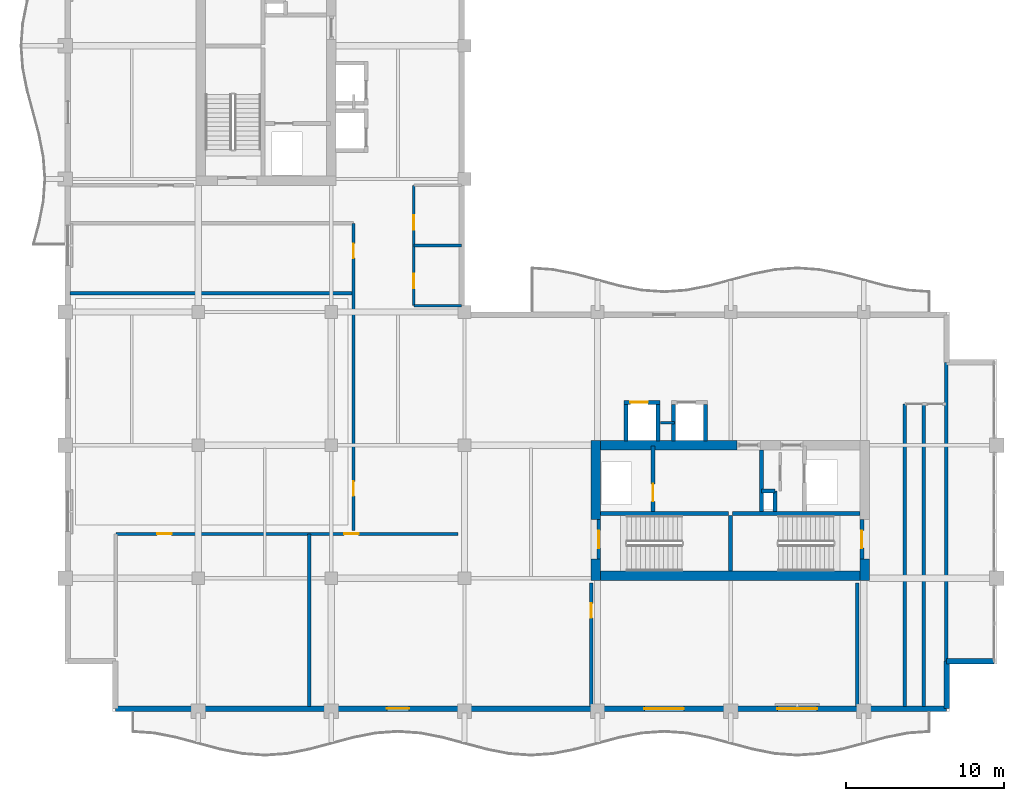
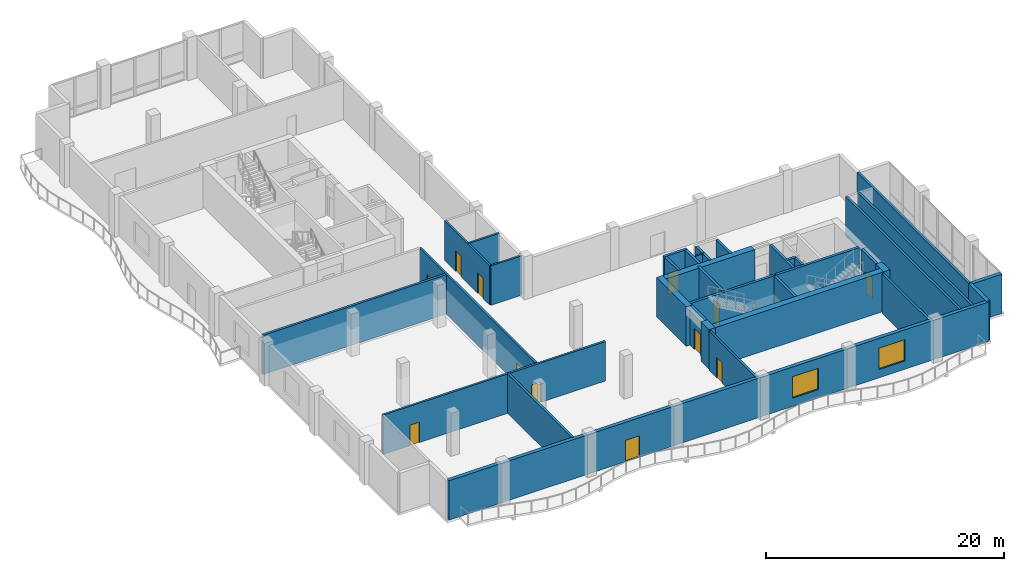
# One storey, part 8 of 15: 35 walls, 12 doors, 2 windows, 14 openings.
"""IFC4 building model written with IfcOpenShell, lengths in metres."""

from ifc_helpers import new_model, si_unit, direction, frame, frame_2d, origin, place, context, subcontext, project, spatial, rectangle, extrude, material, layer, layer_set, type_object, element, fill, save


model = new_model("IFC4")

# Units and contexts
model_context = context("Model", 3, precision=1e-05, world=origin(), true_north=direction((0.0, 1.0)))
body_context = subcontext(model_context, "Body", "Model", "MODEL_VIEW")
ifc_project = project(units=[si_unit("LENGTHUNIT", "METRE"), si_unit("AREAUNIT", "SQUARE_METRE"), si_unit("VOLUMEUNIT", "CUBIC_METRE"), si_unit("PLANEANGLEUNIT", "RADIAN"), si_unit("MASSUNIT", "GRAM", prefix="KILO")], contexts=[model_context])

# Site, building, storey
site_placement = place(None, origin())
site = spatial("IfcSite", under=ifc_project, at=site_placement, CompositionType="ELEMENT")
building_placement = place(site_placement, origin())
building = spatial("IfcBuilding", under=site, at=building_placement, Name="Koriwani Terraces Tower", CompositionType="ELEMENT")
storey_placement = place(building_placement, frame((0.0, 0.0, 290.39990234375)))
storey = spatial("IfcBuildingStorey", under=building, at=storey_placement, Name="L72", CompositionType="ELEMENT", Elevation=290.39990234375)

# Walls
ifc_material_1 = material(Name="Concrete C60/75", Category="concrete")
ifc_layer_1 = layer(ifc_material_1, 0.60009765625, Name="Concrete C60/75")
ifc_layer_set_1 = layer_set([ifc_layer_1], Name="Concrete C60/75")
wall_type_1 = type_object("IfcWallType", Name="WALL_CORE_RC_600", PredefinedType="SHEAR", material=ifc_layer_set_1)
wall_1_placement = place(storey_placement, frame((41.89990234375, 16.64990234375, 0.0), z_axis=(0.0, 0.0, 1.0), x_axis=(0.0, 1.0, 0.0)))
element("IfcWall", 1, at=wall_1_placement, inside=storey, type_object=wall_type_1, Name="L72 East Split Core Shear Wall W1", PredefinedType="SHEAR", context=body_context, shape_type="SweptSolid", body=[
    extrude(rectangle(XDim=1.35009765625, YDim=0.60009765625, at=frame_2d((0.675048828125, 0.0))), origin(), (0.0, 0.0, 1.0), 4.050048828125),
])
wall_2_placement = place(storey_placement, frame((41.89990234375, 20.5, 0.0), z_axis=(0.0, 0.0, 1.0), x_axis=(0.0, 1.0, 0.0)))
element("IfcWall", 2, at=wall_2_placement, inside=storey, type_object=wall_type_1, Name="L72 East Split Core Shear Wall W2", PredefinedType="SHEAR", context=body_context, shape_type="SweptSolid", body=[
    extrude(rectangle(XDim=5.0, YDim=0.60009765625, at=frame_2d((2.5, 0.0))), origin(), (0.0, 0.0, 1.0), 4.050048828125),
])
wall_3_placement = place(storey_placement, frame((58.85009765625, 16.64990234375, 0.0), z_axis=(0.0, 0.0, 1.0), x_axis=(0.0, 1.0, 0.0)))
element("IfcWall", 3, at=wall_3_placement, inside=storey, type_object=wall_type_1, Name="L72 East Split Core Shear Wall E1", PredefinedType="SHEAR", context=body_context, shape_type="SweptSolid", body=[
    extrude(rectangle(XDim=1.35009765625, YDim=0.60009765625, at=frame_2d((0.675048828125, 0.0))), origin(), (0.0, 0.0, 1.0), 4.050048828125),
])
wall_4_placement = place(storey_placement, frame((42.199951171875, 16.949951171875, 0.0), z_axis=(0.0, 0.0, 1.0), x_axis=(1.0, 0.0, 0.0)))
element("IfcWall", 4, at=wall_4_placement, inside=storey, type_object=wall_type_1, Name="L72 East Split Core Shear Wall S1", PredefinedType="SHEAR", context=body_context, shape_type="SweptSolid", body=[
    extrude(rectangle(XDim=16.35009765625, YDim=0.60009765625, at=frame_2d((8.175048828125, 0.0))), origin(), (0.0, 0.0, 1.0), 4.050048828125),
])
wall_5_placement = place(storey_placement, frame((42.199951171875, 25.199951171875, 0.0), z_axis=(0.0, 0.0, 1.0), x_axis=(1.0, 0.0, 0.0)))
element("IfcWall", 5, at=wall_5_placement, inside=storey, type_object=wall_type_1, Name="L72 East Split Core Shear Wall N1", PredefinedType="SHEAR", context=body_context, shape_type="SweptSolid", body=[
    extrude(rectangle(XDim=8.60009765625, YDim=0.60009765625, at=frame_2d((4.300048828125, 0.0))), origin(), (0.0, 0.0, 1.0), 4.050048828125),
])

# Wall, opening, door
ifc_material_2 = material(Name="Autoclaved Cellular Concrete Blockwork", Category="masonry")
ifc_layer_2 = layer(ifc_material_2, 0.199951171875, Name="Autoclaved Cellular Concrete Blockwork")
ifc_layer_set_2 = layer_set([ifc_layer_2], Name="Autoclaved Cellular Concrete Blockwork")
wall_type_2 = type_object("IfcWallType", Name="WALL_CORRIDOR_200", PredefinedType="PARTITIONING", material=ifc_layer_set_2)
wall_6_placement = place(storey_placement, frame((41.60009765625, 8.699951171875, 0.0), z_axis=(0.0, 0.0, 1.0), x_axis=(0.0, 1.0, 0.0)))
wall_6 = element("IfcWall", 6, at=wall_6_placement, inside=storey, type_object=wall_type_2, Name="L72 Interior Wall WSKY-RECE1-L72", PredefinedType="PARTITIONING", context=body_context, shape_type="SweptSolid", body=[
    extrude(rectangle(XDim=7.800048828125, YDim=0.199951171875, at=frame_2d((3.89990234375, 0.0))), origin(), (0.0, 0.0, 1.0), 4.050048828125),
])
opening_1_placement = place(wall_6_placement, frame((5.60009765625, 0.0, 0.0)))
opening_1 = element("IfcOpeningElement", 7, at=opening_1_placement, cuts=wall_6, Name="Opening D-06", PredefinedType="OPENING", context=body_context, shape_type="SweptSolid", body=[
    extrude(rectangle(XDim=0.919921875, YDim=2.10009765625, at=frame_2d((0.4599609375, 1.050048828125))), frame((0.0, 0.10986328125, 0.0), z_axis=(0.0, -1.0, 0.0), x_axis=(1.0, 0.0, 0.0)), (0.0, 0.0, 1.0), 0.219970703125),
])
ifc_material_3 = material(Name="Architectural Oak Fire Door", Category="wood")
door_type_1 = type_object("IfcDoorType", Name="DOOR_ROOM_INT_920X2100", OperationType="NOTDEFINED", PredefinedType="DOOR", material=ifc_material_3)
door_1_placement = place(opening_1_placement, origin())
door_1 = element("IfcDoor", 8, at=door_1_placement, inside=storey, type_object=door_type_1, Name="L72 VIP Tasting Salon Door", OperationType="SINGLE_SWING_LEFT", OverallHeight=2.10009765625, OverallWidth=0.919921875, PredefinedType="DOOR", context=body_context, shape_type="SweptSolid", body=[
    extrude(rectangle(XDim=0.919921875, YDim=2.10009765625, at=frame_2d((0.4599609375, 1.050048828125))), frame((0.0, 0.02490234375, 0.0), z_axis=(0.0, -1.0, 0.0), x_axis=(1.0, 0.0, 0.0)), (0.0, 0.0, 1.0), 0.050048828125),
])
fill(opening_1, door_1)

# Wall, openings, doors
wall_7_placement = place(storey_placement, frame((11.60009765625, 19.60009765625, 0.0), z_axis=(0.0, 0.0, 1.0), x_axis=(1.0, 0.0, 0.0)))
wall_7 = element("IfcWall", 9, at=wall_7_placement, inside=storey, type_object=wall_type_2, Name="L72 Interior Wall WSKY-SPN-L72", PredefinedType="PARTITIONING", context=body_context, shape_type="SweptSolid", body=[
    extrude(rectangle(XDim=21.599853515625, YDim=0.199951171875, at=frame_2d((10.7998046875, 0.0))), origin(), (0.0, 0.0, 1.0), 4.050048828125),
])
opening_2_placement = place(wall_7_placement, frame((2.60009765625, 0.0, 0.0)))
opening_2 = element("IfcOpeningElement", 10, at=opening_2_placement, cuts=wall_7, Name="Opening D-06", PredefinedType="OPENING", context=body_context, shape_type="SweptSolid", body=[
    extrude(rectangle(XDim=0.919921875, YDim=2.10009765625, at=frame_2d((0.4599609375, 1.050048828125))), frame((0.0, 0.10986328125, 0.0), z_axis=(0.0, -1.0, 0.0), x_axis=(1.0, 0.0, 0.0)), (0.0, 0.0, 1.0), 0.219970703125),
])
opening_3_placement = place(wall_7_placement, frame((14.39990234375, 0.0, 0.0)))
opening_3 = element("IfcOpeningElement", 11, at=opening_3_placement, cuts=wall_7, Name="Opening D-06", PredefinedType="OPENING", context=body_context, shape_type="SweptSolid", body=[
    extrude(rectangle(XDim=0.919921875, YDim=2.10009765625, at=frame_2d((0.4599609375, 1.050048828125))), frame((0.0, 0.10986328125, 0.0), z_axis=(0.0, -1.0, 0.0), x_axis=(1.0, 0.0, 0.0)), (0.0, 0.0, 1.0), 0.219970703125),
])
door_2_placement = place(opening_2_placement, origin())
door_2 = element("IfcDoor", 12, at=door_2_placement, inside=storey, type_object=door_type_1, Name="L72 Sky Spa Salon Door", OperationType="SINGLE_SWING_RIGHT", OverallHeight=2.10009765625, OverallWidth=0.919921875, PredefinedType="DOOR", context=body_context, shape_type="SweptSolid", body=[
    extrude(rectangle(XDim=0.919921875, YDim=2.10009765625, at=frame_2d((0.4599609375, 1.050048828125))), frame((0.0, 0.02490234375, 0.0), z_axis=(0.0, -1.0, 0.0), x_axis=(1.0, 0.0, 0.0)), (0.0, 0.0, 1.0), 0.050048828125),
])
fill(opening_2, door_2)
door_3_placement = place(opening_3_placement, origin())
door_3 = element("IfcDoor", 13, at=door_3_placement, inside=storey, type_object=door_type_1, Name="L72 Sommelier Kitchen Door", OperationType="SINGLE_SWING_LEFT", OverallHeight=2.10009765625, OverallWidth=0.919921875, PredefinedType="DOOR", context=body_context, shape_type="SweptSolid", body=[
    extrude(rectangle(XDim=0.919921875, YDim=2.10009765625, at=frame_2d((0.4599609375, 1.050048828125))), frame((0.0, 0.02490234375, 0.0), z_axis=(0.0, -1.0, 0.0), x_axis=(1.0, 0.0, 0.0)), (0.0, 0.0, 1.0), 0.050048828125),
])
fill(opening_3, door_3)

wall_8_placement = place(storey_placement, frame((26.60009765625, 19.800048828125, 0.0), z_axis=(0.0, 0.0, 1.0), x_axis=(0.0, 1.0, 0.0)))
wall_8 = element("IfcWall", 14, at=wall_8_placement, inside=storey, type_object=wall_type_2, Name="L72 Interior Wall WSKY-WME-L72", PredefinedType="PARTITIONING", context=body_context, shape_type="SweptSolid", body=[
    extrude(rectangle(XDim=19.39990234375, YDim=0.199951171875, at=frame_2d((9.699951171875, 0.0))), origin(), (0.0, 0.0, 1.0), 4.050048828125),
])
opening_4_placement = place(wall_8_placement, frame((2.199951171875, 0.0, 0.0)))
opening_4 = element("IfcOpeningElement", 15, at=opening_4_placement, cuts=wall_8, Name="Opening D-06", PredefinedType="OPENING", context=body_context, shape_type="SweptSolid", body=[
    extrude(rectangle(XDim=0.919921875, YDim=2.10009765625, at=frame_2d((0.4599609375, 1.050048828125))), frame((0.0, 0.10986328125, 0.0), z_axis=(0.0, -1.0, 0.0), x_axis=(1.0, 0.0, 0.0)), (0.0, 0.0, 1.0), 0.219970703125),
])
opening_5_placement = place(wall_8_placement, frame((17.199951171875, 0.0, 0.0)))
opening_5 = element("IfcOpeningElement", 16, at=opening_5_placement, cuts=wall_8, Name="Opening D-06", PredefinedType="OPENING", context=body_context, shape_type="SweptSolid", body=[
    extrude(rectangle(XDim=0.919921875, YDim=2.10009765625, at=frame_2d((0.4599609375, 1.050048828125))), frame((0.0, 0.10986328125, 0.0), z_axis=(0.0, -1.0, 0.0), x_axis=(1.0, 0.0, 0.0)), (0.0, 0.0, 1.0), 0.219970703125),
])
door_4_placement = place(opening_4_placement, origin())
door_4 = element("IfcDoor", 17, at=door_4_placement, inside=storey, type_object=door_type_1, Name="L72 Screening Room Door", OperationType="SINGLE_SWING_RIGHT", OverallHeight=2.10009765625, OverallWidth=0.919921875, PredefinedType="DOOR", context=body_context, shape_type="SweptSolid", body=[
    extrude(rectangle(XDim=0.919921875, YDim=2.10009765625, at=frame_2d((0.4599609375, 1.050048828125))), frame((0.0, 0.02490234375, 0.0), z_axis=(0.0, -1.0, 0.0), x_axis=(1.0, 0.0, 0.0)), (0.0, 0.0, 1.0), 0.050048828125),
])
fill(opening_4, door_4)
door_5_placement = place(opening_5_placement, origin())
door_5 = element("IfcDoor", 18, at=door_5_placement, inside=storey, type_object=door_type_1, Name="L72 Study Library Door", OperationType="SINGLE_SWING_LEFT", OverallHeight=2.10009765625, OverallWidth=0.919921875, PredefinedType="DOOR", context=body_context, shape_type="SweptSolid", body=[
    extrude(rectangle(XDim=0.919921875, YDim=2.10009765625, at=frame_2d((0.4599609375, 1.050048828125))), frame((0.0, 0.02490234375, 0.0), z_axis=(0.0, -1.0, 0.0), x_axis=(1.0, 0.0, 0.0)), (0.0, 0.0, 1.0), 0.050048828125),
])
fill(opening_5, door_5)

# Walls
ifc_layer_3 = layer(ifc_material_2, 0.219970703125, Name="Autoclaved Cellular Concrete Blockwork")
ifc_layer_set_3 = layer_set([ifc_layer_3], Name="Autoclaved Cellular Concrete Blockwork")
wall_type_3 = type_object("IfcWallType", Name="WALL_DEMISING_220", PredefinedType="PARTITIONING", material=ifc_layer_set_3)
wall_9_placement = place(storey_placement, frame((58.39990234375, 8.699951171875, 0.0), z_axis=(0.0, 0.0, 1.0), x_axis=(0.0, 1.0, 0.0)))
element("IfcWall", 19, at=wall_9_placement, inside=storey, type_object=wall_type_3, Name="L72 Interior Wall WSKY-RECE2-L72", PredefinedType="PARTITIONING", context=body_context, shape_type="SweptSolid", body=[
    extrude(rectangle(XDim=7.800048828125, YDim=0.219970703125, at=frame_2d((3.89990234375, 0.0))), origin(), (0.0, 0.0, 1.0), 4.050048828125),
])
wall_10_placement = place(storey_placement, frame((23.800048828125, 8.699951171875, 0.0), z_axis=(0.0, 0.0, 1.0), x_axis=(0.0, 1.0, 0.0)))
element("IfcWall", 20, at=wall_10_placement, inside=storey, type_object=wall_type_3, Name="L72 Interior Wall WSKY-SPM-L72", PredefinedType="PARTITIONING", context=body_context, shape_type="SweptSolid", body=[
    extrude(rectangle(XDim=10.900146484375, YDim=0.219970703125, at=frame_2d((5.4501953125, 0.0))), origin(), (0.0, 0.0, 1.0), 4.050048828125),
])
wall_11_placement = place(storey_placement, frame((8.699951171875, 34.800048828125, 0.0), z_axis=(0.0, 0.0, 1.0), x_axis=(1.0, 0.0, 0.0)))
element("IfcWall", 21, at=wall_11_placement, inside=storey, type_object=wall_type_3, Name="L72 Interior Wall WSKY-WMM-L72", PredefinedType="PARTITIONING", context=body_context, shape_type="SweptSolid", body=[
    extrude(rectangle(XDim=17.900146484375, YDim=0.219970703125, at=frame_2d((8.9501953125, 0.0))), origin(), (0.0, 0.0, 1.0), 4.050048828125),
])
wall_12_placement = place(storey_placement, frame((61.39990234375, 8.699951171875, 0.0), z_axis=(0.0, 0.0, 1.0), x_axis=(0.0, 1.0, 0.0)))
element("IfcWall", 22, at=wall_12_placement, inside=storey, type_object=wall_type_3, Name="L72 Interior Wall WSKY-EW-L72", PredefinedType="PARTITIONING", context=body_context, shape_type="SweptSolid", body=[
    extrude(rectangle(XDim=19.10009765625, YDim=0.219970703125, at=frame_2d((9.550048828125, 0.0))), origin(), (0.0, 0.0, 1.0), 4.050048828125),
])
wall_13_placement = place(storey_placement, frame((64.0, 11.39990234375, 0.0), z_axis=(0.0, 0.0, 1.0), x_axis=(0.0, 1.0, 0.0)))
element("IfcWall", 23, at=wall_13_placement, inside=storey, type_object=wall_type_3, Name="L72 Interior Wall WSKY-EE-L72", PredefinedType="PARTITIONING", context=body_context, shape_type="SweptSolid", body=[
    extrude(rectangle(XDim=19.0, YDim=0.219970703125, at=frame_2d((9.5, 0.0))), origin(), (0.0, 0.0, 1.0), 4.050048828125),
])
wall_14_placement = place(storey_placement, frame((62.60009765625, 8.699951171875, 0.0), z_axis=(0.0, 0.0, 1.0), x_axis=(0.0, 1.0, 0.0)))
element("IfcWall", 24, at=wall_14_placement, inside=storey, type_object=wall_type_3, Name="L72 Interior Wall WSKY-EDIV-L72", PredefinedType="PARTITIONING", context=body_context, shape_type="SweptSolid", body=[
    extrude(rectangle(XDim=19.10009765625, YDim=0.219970703125, at=frame_2d((9.550048828125, 0.0))), origin(), (0.0, 0.0, 1.0), 4.050048828125),
])
ifc_material_4 = material(Name="Concrete C50/60", Category="concrete")
ifc_layer_4 = layer(ifc_material_4, 0.35009765625, Name="Concrete C50/60")
ifc_layer_set_4 = layer_set([ifc_layer_4], Name="Concrete C50/60")
wall_type_4 = type_object("IfcWallType", Name="WALL_EXT_BRUTALIST_350", PredefinedType="STANDARD", material=ifc_layer_set_4)
for number, where, z_axis, x_axis, name in (
    (25, (67.02490234375, 11.574951171875, 0.0), (0.0, 0.0, 1.0), (-1.0, 0.0, 0.0), "L72 Fair-Faced Brutalist Exterior Wall (N13)"),
    (26, (64.02490234375, 11.574951171875, 0.0), (0.0, 0.0, 1.0), (0.0, -1.0, 0.0), "L72 Fair-Faced Brutalist Exterior Wall (N14)"),
):
    element("IfcWall", number, at=place(storey_placement, frame(where, z_axis=z_axis, x_axis=x_axis)), inside=storey, type_object=wall_type_4, Name=name, PredefinedType="STANDARD", context=body_context, shape_type="SweptSolid", body=[
        extrude(rectangle(XDim=3.0, YDim=0.35009765625, at=frame_2d((1.5, 0.0))), origin(), (0.0, 0.0, 1.0), 4.050048828125),
    ])

# Wall, openings, door, windows
wall_15_placement = place(storey_placement, frame((64.02490234375, 8.574951171875, 0.0), z_axis=(0.0, 0.0, 1.0), x_axis=(-1.0, 0.0, 0.0)))
wall_15 = element("IfcWall", 27, at=wall_15_placement, inside=storey, type_object=wall_type_4, Name="L72 Fair-Faced Brutalist Exterior Wall (S)", PredefinedType="STANDARD", context=body_context, shape_type="SweptSolid", body=[
    extrude(rectangle(XDim=52.449951171875, YDim=0.35009765625, at=frame_2d((26.22509765625, 0.0))), origin(), (0.0, 0.0, 1.0), 4.050048828125),
])
opening_6_placement = place(wall_15_placement, frame((33.925048828125, 0.0, 0.0)))
opening_6 = element("IfcOpeningElement", 28, at=opening_6_placement, cuts=wall_15, Name="Opening D-09", PredefinedType="OPENING", context=body_context, shape_type="SweptSolid", body=[
    extrude(rectangle(XDim=1.39990234375, YDim=2.199951171875, at=frame_2d((0.699951171875, 1.10009765625))), frame((0.0, 0.18505859375, 0.0), z_axis=(0.0, -1.0, 0.0), x_axis=(1.0, 0.0, 0.0)), (0.0, 0.0, 1.0), 0.3701171875),
])
opening_7_placement = place(wall_15_placement, frame((16.574951171875, 0.0, 0.85009765625)))
opening_7 = element("IfcOpeningElement", 29, at=opening_7_placement, cuts=wall_15, Name="Opening W-07", PredefinedType="OPENING", context=body_context, shape_type="SweptSolid", body=[
    extrude(rectangle(XDim=2.5, YDim=2.199951171875, at=frame_2d((1.25, 1.10009765625))), frame((0.0, 0.18505859375, 0.0), z_axis=(0.0, -1.0, 0.0), x_axis=(1.0, 0.0, 0.0)), (0.0, 0.0, 1.0), 0.3701171875),
])
opening_8_placement = place(wall_15_placement, frame((8.175048828125, 0.0, 0.85009765625)))
opening_8 = element("IfcOpeningElement", 30, at=opening_8_placement, cuts=wall_15, Name="Opening W-07", PredefinedType="OPENING", context=body_context, shape_type="SweptSolid", body=[
    extrude(rectangle(XDim=2.5, YDim=2.199951171875, at=frame_2d((1.25, 1.10009765625))), frame((0.0, 0.18505859375, 0.0), z_axis=(0.0, -1.0, 0.0), x_axis=(1.0, 0.0, 0.0)), (0.0, 0.0, 1.0), 0.3701171875),
])
ifc_material_5 = material(Name="Anodised Bronze Aluminium", Category="aluminium")
door_type_2 = type_object("IfcDoorType", Name="DOOR_BALCONY_GLAZED_1400X2200", OperationType="NOTDEFINED", PredefinedType="DOOR", material=ifc_material_5)
door_6_placement = place(opening_6_placement, origin())
door_6 = element("IfcDoor", 31, at=door_6_placement, inside=storey, type_object=door_type_2, Name="L72 South Balcony Glazed Door", OperationType="SINGLE_SWING_LEFT", OverallHeight=2.199951171875, OverallWidth=1.39990234375, PredefinedType="DOOR", context=body_context, shape_type="SweptSolid", body=[
    extrude(rectangle(XDim=1.39990234375, YDim=2.199951171875, at=frame_2d((0.699951171875, 1.10009765625))), frame((0.0, 0.02490234375, 0.0), z_axis=(0.0, -1.0, 0.0), x_axis=(1.0, 0.0, 0.0)), (0.0, 0.0, 1.0), 0.050048828125),
])
fill(opening_6, door_6)
ifc_material_6 = material(Name="Tempered Laminated Low-E Glass", Category="glass")
window_type = type_object("IfcWindowType", Name="WIN_SKY_LOUNGE_2500X2200", PartitioningType="SINGLE_PANEL", PredefinedType="WINDOW", material=ifc_material_6)
window_1_placement = place(opening_7_placement, origin())
window_1 = element("IfcWindow", 32, at=window_1_placement, inside=storey, type_object=window_type, Name="L72 Exterior Window (S-12)", OverallHeight=2.199951171875, OverallWidth=2.5, PartitioningType="SINGLE_PANEL", PredefinedType="WINDOW", context=body_context, shape_type="SweptSolid", body=[
    extrude(rectangle(XDim=2.5, YDim=2.199951171875, at=frame_2d((1.25, 1.10009765625))), frame((0.0, 0.030029296875, 0.0), z_axis=(0.0, -1.0, 0.0), x_axis=(1.0, 0.0, 0.0)), (0.0, 0.0, 1.0), 0.06005859375),
])
fill(opening_7, window_1)
window_2_placement = place(opening_8_placement, origin())
window_2 = element("IfcWindow", 33, at=window_2_placement, inside=storey, type_object=window_type, Name="L72 Exterior Window (S-15)", OverallHeight=2.199951171875, OverallWidth=2.5, PartitioningType="SINGLE_PANEL", PredefinedType="WINDOW", context=body_context, shape_type="SweptSolid", body=[
    extrude(rectangle(XDim=2.5, YDim=2.199951171875, at=frame_2d((1.25, 1.10009765625))), frame((0.0, 0.030029296875, 0.0), z_axis=(0.0, -1.0, 0.0), x_axis=(1.0, 0.0, 0.0)), (0.0, 0.0, 1.0), 0.06005859375),
])
fill(opening_8, window_2)

# Wall, openings, doors
ifc_material_7 = material(Name="Fire-Rated Acoustic Gypsum Partition", Category="masonry")
ifc_layer_5 = layer(ifc_material_7, 0.179931640625, Name="Fire-Rated Acoustic Gypsum Partition")
ifc_layer_set_5 = layer_set([ifc_layer_5], Name="Fire-Rated Acoustic Gypsum Partition")
wall_type_5 = type_object("IfcWallType", Name="WALL_PLUMBING_180", PredefinedType="PLUMBINGWALL", material=ifc_layer_set_5)
wall_16_placement = place(storey_placement, frame((30.39990234375, 34.0, 0.0), z_axis=(0.0, 0.0, 1.0), x_axis=(0.0, 1.0, 0.0)))
wall_16 = element("IfcWall", 34, at=wall_16_placement, inside=storey, type_object=wall_type_5, Name="L72 Interior Wall WSKY-WC-L72", PredefinedType="PLUMBINGWALL", context=body_context, shape_type="SweptSolid", body=[
    extrude(rectangle(XDim=7.60009765625, YDim=0.179931640625, at=frame_2d((3.800048828125, 0.0))), origin(), (0.0, 0.0, 1.0), 4.050048828125),
])
opening_9_placement = place(wall_16_placement, frame((1.10009765625, 0.0, 0.0)))
opening_9 = element("IfcOpeningElement", 35, at=opening_9_placement, cuts=wall_16, Name="Opening D-06", PredefinedType="OPENING", context=body_context, shape_type="SweptSolid", body=[
    extrude(rectangle(XDim=0.919921875, YDim=2.10009765625, at=frame_2d((0.4599609375, 1.050048828125))), frame((0.0, 0.10009765625, 0.0), z_axis=(0.0, -1.0, 0.0), x_axis=(1.0, 0.0, 0.0)), (0.0, 0.0, 1.0), 0.199951171875),
])
opening_10_placement = place(wall_16_placement, frame((4.800048828125, 0.0, 0.0)))
opening_10 = element("IfcOpeningElement", 36, at=opening_10_placement, cuts=wall_16, Name="Opening D-06", PredefinedType="OPENING", context=body_context, shape_type="SweptSolid", body=[
    extrude(rectangle(XDim=0.919921875, YDim=2.10009765625, at=frame_2d((0.4599609375, 1.050048828125))), frame((0.0, 0.10009765625, 0.0), z_axis=(0.0, -1.0, 0.0), x_axis=(1.0, 0.0, 0.0)), (0.0, 0.0, 1.0), 0.199951171875),
])
door_7_placement = place(opening_9_placement, origin())
door_7 = element("IfcDoor", 37, at=door_7_placement, inside=storey, type_object=door_type_1, Name="L72 Sky Lobby Restroom WC Door", OperationType="SINGLE_SWING_RIGHT", OverallHeight=2.10009765625, OverallWidth=0.919921875, PredefinedType="DOOR", context=body_context, shape_type="SweptSolid", body=[
    extrude(rectangle(XDim=0.919921875, YDim=2.10009765625, at=frame_2d((0.4599609375, 1.050048828125))), frame((0.0, 0.02490234375, 0.0), z_axis=(0.0, -1.0, 0.0), x_axis=(1.0, 0.0, 0.0)), (0.0, 0.0, 1.0), 0.050048828125),
])
fill(opening_9, door_7)
door_8_placement = place(opening_10_placement, origin())
door_8 = element("IfcDoor", 38, at=door_8_placement, inside=storey, type_object=door_type_1, Name="L72 Sky Lobby Accessible WC Door", OperationType="SINGLE_SWING_LEFT", OverallHeight=2.10009765625, OverallWidth=0.919921875, PredefinedType="DOOR", context=body_context, shape_type="SweptSolid", body=[
    extrude(rectangle(XDim=0.919921875, YDim=2.10009765625, at=frame_2d((0.4599609375, 1.050048828125))), frame((0.0, 0.02490234375, 0.0), z_axis=(0.0, -1.0, 0.0), x_axis=(1.0, 0.0, 0.0)), (0.0, 0.0, 1.0), 0.050048828125),
])
fill(opening_10, door_8)

# Walls
for number, where, z_axis, x_axis, name in (
    (39, (30.39990234375, 34.0, 0.0), (0.0, 0.0, 1.0), (1.0, 0.0, 0.0), "L72 Interior Wall WSKY-WCS-L72"),
    (40, (30.39990234375, 37.800048828125, 0.0), (0.0, 0.0, 1.0), (1.0, 0.0, 0.0), "L72 Interior Wall WSKY-WCM-L72"),
):
    element("IfcWall", number, at=place(storey_placement, frame(where, z_axis=z_axis, x_axis=x_axis)), inside=storey, type_object=wall_type_5, Name=name, PredefinedType="PLUMBINGWALL", context=body_context, shape_type="SweptSolid", body=[
        extrude(rectangle(XDim=3.0, YDim=0.179931640625, at=frame_2d((1.5, 0.0))), origin(), (0.0, 0.0, 1.0), 4.050048828125),
    ])
ifc_material_8 = material(Name="Concrete C40/50", Category="concrete")
ifc_layer_6 = layer(ifc_material_8, 0.25, Name="Concrete C40/50")
ifc_layer_set_6 = layer_set([ifc_layer_6], Name="Concrete C40/50")
wall_type_6 = type_object("IfcWallType", Name="WALL_SHAFT_RATED_250", PredefinedType="SOLIDWALL", material=ifc_layer_set_6)
for number, where, z_axis, x_axis, name in (
    (41, (42.199951171875, 20.875, 0.0), (0.0, 0.0, 1.0), (1.0, 0.0, 0.0), "L72 East Split Core Web Wall MID1"),
    (42, (50.5, 20.875, 0.0), (0.0, 0.0, 1.0), (1.0, 0.0, 0.0), "L72 East Split Core Web Wall MID2"),
):
    element("IfcWall", number, at=place(storey_placement, frame(where, z_axis=z_axis, x_axis=x_axis)), inside=storey, type_object=wall_type_6, Name=name, PredefinedType="SOLIDWALL", context=body_context, shape_type="SweptSolid", body=[
        extrude(rectangle(XDim=8.050048828125, YDim=0.25, at=frame_2d((4.02490234375, 0.0))), origin(), (0.0, 0.0, 1.0), 4.050048828125),
    ])
wall_17_placement = place(storey_placement, frame((50.375, 17.25, 0.0), z_axis=(0.0, 0.0, 1.0), x_axis=(0.0, 1.0, 0.0)))
element("IfcWall", 43, at=wall_17_placement, inside=storey, type_object=wall_type_6, Name="L72 East Split Core Stair Dividing Wall", PredefinedType="SOLIDWALL", context=body_context, shape_type="SweptSolid", body=[
    extrude(rectangle(XDim=3.5, YDim=0.25, at=frame_2d((1.75, 0.0))), origin(), (0.0, 0.0, 1.0), 4.050048828125),
])

# Wall, opening, door
wall_18_placement = place(storey_placement, frame((42.074951171875, 18.0, 0.0), z_axis=(0.0, 0.0, 1.0), x_axis=(0.0, 1.0, 0.0)))
wall_18 = element("IfcWall", 44, at=wall_18_placement, inside=storey, type_object=wall_type_6, Name="L72 Interior Wall WIN-CE-L72-STW", PredefinedType="SOLIDWALL", context=body_context, shape_type="SweptSolid", body=[
    extrude(rectangle(XDim=2.5, YDim=0.25, at=frame_2d((1.25, 0.0))), origin(), (0.0, 0.0, 1.0), 4.050048828125),
])
opening_11_placement = place(wall_18_placement, frame((0.699951171875, 0.0, 0.0)))
opening_11 = element("IfcOpeningElement", 45, at=opening_11_placement, cuts=wall_18, Name="Opening D-03", PredefinedType="OPENING", context=body_context, shape_type="SweptSolid", body=[
    extrude(rectangle(XDim=1.10009765625, YDim=2.14990234375, at=frame_2d((0.550048828125, 1.074951171875))), frame((0.0, 0.135009765625, 0.0), z_axis=(0.0, -1.0, 0.0), x_axis=(1.0, 0.0, 0.0)), (0.0, 0.0, 1.0), 0.27001953125),
])
ifc_material_9 = material(Name="Steel ASTM A572 Grade 50", Category="steel")
door_type_3 = type_object("IfcDoorType", Name="DOOR_STAIR_FIRE_1100X2150", OperationType="NOTDEFINED", PredefinedType="DOOR", material=ifc_material_9)
door_9_placement = place(opening_11_placement, origin())
door_9 = element("IfcDoor", 46, at=door_9_placement, inside=storey, type_object=door_type_3, Name="L72 Exit Stair ST-E1 Door", OperationType="SINGLE_SWING_LEFT", OverallHeight=2.14990234375, OverallWidth=1.10009765625, PredefinedType="DOOR", context=body_context, shape_type="SweptSolid", body=[
    extrude(rectangle(XDim=1.10009765625, YDim=2.14990234375, at=frame_2d((0.550048828125, 1.074951171875))), frame((0.0, 0.02490234375, 0.0), z_axis=(0.0, -1.0, 0.0), x_axis=(1.0, 0.0, 0.0)), (0.0, 0.0, 1.0), 0.050048828125),
])
fill(opening_11, door_9)

wall_19_placement = place(storey_placement, frame((58.675048828125, 18.0, 0.0), z_axis=(0.0, 0.0, 1.0), x_axis=(0.0, 1.0, 0.0)))
wall_19 = element("IfcWall", 47, at=wall_19_placement, inside=storey, type_object=wall_type_6, Name="L72 Interior Wall WIN-CE-L72-STE", PredefinedType="SOLIDWALL", context=body_context, shape_type="SweptSolid", body=[
    extrude(rectangle(XDim=2.5, YDim=0.25, at=frame_2d((1.25, 0.0))), origin(), (0.0, 0.0, 1.0), 4.050048828125),
])
opening_12_placement = place(wall_19_placement, frame((0.699951171875, 0.0, 0.0)))
opening_12 = element("IfcOpeningElement", 48, at=opening_12_placement, cuts=wall_19, Name="Opening D-03", PredefinedType="OPENING", context=body_context, shape_type="SweptSolid", body=[
    extrude(rectangle(XDim=1.10009765625, YDim=2.14990234375, at=frame_2d((0.550048828125, 1.074951171875))), frame((0.0, 0.135009765625, 0.0), z_axis=(0.0, -1.0, 0.0), x_axis=(1.0, 0.0, 0.0)), (0.0, 0.0, 1.0), 0.27001953125),
])
door_10_placement = place(opening_12_placement, origin())
door_10 = element("IfcDoor", 49, at=door_10_placement, inside=storey, type_object=door_type_3, Name="L72 Exit Stair ST-E2 Door", OperationType="SINGLE_SWING_RIGHT", OverallHeight=2.14990234375, OverallWidth=1.10009765625, PredefinedType="DOOR", context=body_context, shape_type="SweptSolid", body=[
    extrude(rectangle(XDim=1.10009765625, YDim=2.14990234375, at=frame_2d((0.550048828125, 1.074951171875))), frame((0.0, 0.02490234375, 0.0), z_axis=(0.0, -1.0, 0.0), x_axis=(1.0, 0.0, 0.0)), (0.0, 0.0, 1.0), 0.050048828125),
])
fill(opening_12, door_10)

wall_20_placement = place(storey_placement, frame((45.5, 21.0, 0.0), z_axis=(0.0, 0.0, 1.0), x_axis=(0.0, 1.0, 0.0)))
wall_20 = element("IfcWall", 50, at=wall_20_placement, inside=storey, type_object=wall_type_6, Name="L72 Interior Wall WIN-CE-L72-FE", PredefinedType="SOLIDWALL", context=body_context, shape_type="SweptSolid", body=[
    extrude(rectangle(XDim=4.14990234375, YDim=0.25, at=frame_2d((2.074951171875, 0.0))), origin(), (0.0, 0.0, 1.0), 4.050048828125),
])
opening_13_placement = place(wall_20_placement, frame((0.64990234375, 0.0, 0.0)))
opening_13 = element("IfcOpeningElement", 51, at=opening_13_placement, cuts=wall_20, Name="Opening LD-01", PredefinedType="OPENING", context=body_context, shape_type="SweptSolid", body=[
    extrude(rectangle(XDim=1.10009765625, YDim=2.14990234375, at=frame_2d((0.550048828125, 1.074951171875))), frame((0.0, 0.135009765625, 0.0), z_axis=(0.0, -1.0, 0.0), x_axis=(1.0, 0.0, 0.0)), (0.0, 0.0, 1.0), 0.27001953125),
])
door_type_4 = type_object("IfcDoorType", Name="DOOR_LIFT_LANDING_1100X2200", OperationType="NOTDEFINED", PredefinedType="DOOR", material=ifc_material_9)
door_11_placement = place(opening_13_placement, origin())
door_11 = element("IfcDoor", 52, at=door_11_placement, inside=storey, type_object=door_type_4, Name="L72 Firefighting Lift FE-02 Landing Door", OperationType="SLIDING_TO_LEFT", OverallHeight=2.14990234375, OverallWidth=1.10009765625, PredefinedType="DOOR", context=body_context, shape_type="SweptSolid", body=[
    extrude(rectangle(XDim=1.10009765625, YDim=2.14990234375, at=frame_2d((0.550048828125, 1.074951171875))), frame((0.0, 0.02490234375, 0.0), z_axis=(0.0, -1.0, 0.0), x_axis=(1.0, 0.0, 0.0)), (0.0, 0.0, 1.0), 0.050048828125),
])
fill(opening_13, door_11)

# Walls
wall_21_placement = place(storey_placement, frame((52.340087890625, 21.0, 0.0), z_axis=(0.0, 0.0, 1.0), x_axis=(0.0, 1.0, 0.0)))
element("IfcWall", 53, at=wall_21_placement, inside=storey, type_object=wall_type_6, Name="L72 Interior Wall WIN-CE-L72-FFE", PredefinedType="SOLIDWALL", context=body_context, shape_type="SweptSolid", body=[
    extrude(rectangle(XDim=3.89990234375, YDim=0.25, at=frame_2d((1.949951171875, 0.0))), origin(), (0.0, 0.0, 1.0), 4.050048828125),
])
wall_22_placement = place(storey_placement, frame((53.199951171875, 21.0, 0.0), z_axis=(0.0, 0.0, 1.0), x_axis=(0.0, 1.0, 0.0)))
element("IfcWall", 54, at=wall_22_placement, inside=storey, type_object=wall_type_6, Name="L72 Interior Wall WIN-CE-L72-RS1", PredefinedType="SOLIDWALL", context=body_context, shape_type="SweptSolid", body=[
    extrude(rectangle(XDim=1.300048828125, YDim=0.25, at=frame_2d((0.64990234375, 0.0))), origin(), (0.0, 0.0, 1.0), 4.050048828125),
])
wall_23_placement = place(storey_placement, frame((52.360107421875, 22.300048828125, 0.0), z_axis=(0.0, 0.0, 1.0), x_axis=(1.0, 0.0, 0.0)))
element("IfcWall", 55, at=wall_23_placement, inside=storey, type_object=wall_type_6, Name="L72 Interior Wall WIN-CE-L72-RS2", PredefinedType="SOLIDWALL", context=body_context, shape_type="SweptSolid", body=[
    extrude(rectangle(XDim=0.83984375, YDim=0.25, at=frame_2d((0.419921875, 0.0))), origin(), (0.0, 0.0, 1.0), 4.050048828125),
])

# Wall, opening, door
wall_24_placement = place(storey_placement, frame((43.675048828125, 27.89990234375, 0.0), z_axis=(0.0, 0.0, 1.0), x_axis=(1.0, 0.0, 0.0)))
wall_24 = element("IfcWall", 56, at=wall_24_placement, inside=storey, type_object=wall_type_6, Name="L72 Interior Wall WIN-LF-PE-H3-L72-F", PredefinedType="SOLIDWALL", context=body_context, shape_type="SweptSolid", body=[
    extrude(rectangle(XDim=2.25, YDim=0.25, at=frame_2d((1.125, 0.0))), origin(), (0.0, 0.0, 1.0), 4.050048828125),
])
opening_14_placement = place(wall_24_placement, frame((0.39990234375, 0.0, 0.0)))
opening_14 = element("IfcOpeningElement", 57, at=opening_14_placement, cuts=wall_24, Name="Opening LD-01", PredefinedType="OPENING", context=body_context, shape_type="SweptSolid", body=[
    extrude(rectangle(XDim=1.10009765625, YDim=2.14990234375, at=frame_2d((0.550048828125, 1.074951171875))), frame((0.0, 0.135009765625, 0.0), z_axis=(0.0, -1.0, 0.0), x_axis=(1.0, 0.0, 0.0)), (0.0, 0.0, 1.0), 0.27001953125),
])
door_12_placement = place(opening_14_placement, origin())
door_12 = element("IfcDoor", 58, at=door_12_placement, inside=storey, type_object=door_type_4, Name="L72 Passenger Lift PE-H3 Landing Door", OperationType="SLIDING_TO_LEFT", OverallHeight=2.14990234375, OverallWidth=1.10009765625, PredefinedType="DOOR", context=body_context, shape_type="SweptSolid", body=[
    extrude(rectangle(XDim=1.10009765625, YDim=2.14990234375, at=frame_2d((0.550048828125, 1.074951171875))), frame((0.0, 0.02490234375, 0.0), z_axis=(0.0, -1.0, 0.0), x_axis=(1.0, 0.0, 0.0)), (0.0, 0.0, 1.0), 0.050048828125),
])
fill(opening_14, door_12)

# Walls
for number, where, z_axis, x_axis, name in (
    (59, (43.800048828125, 25.449951171875, 0.0), (0.0, 0.0, 1.0), (0.0, 1.0, 0.0), "L72 Interior Wall WIN-LF-PE-H3-L72-W"),
    (60, (45.800048828125, 25.449951171875, 0.0), (0.0, 0.0, 1.0), (0.0, 1.0, 0.0), "L72 Interior Wall WIN-LF-PE-H3-L72-E"),
    (61, (46.800048828125, 25.449951171875, 0.0), (0.0, 0.0, 1.0), (0.0, 1.0, 0.0), "L72 Interior Wall WIN-LF-PE-H4-L72-W"),
    (62, (48.800048828125, 25.449951171875, 0.0), (0.0, 0.0, 1.0), (0.0, 1.0, 0.0), "L72 Interior Wall WIN-LF-PE-H4-L72-E"),
):
    element("IfcWall", number, at=place(storey_placement, frame(where, z_axis=z_axis, x_axis=x_axis)), inside=storey, type_object=wall_type_6, Name=name, PredefinedType="SOLIDWALL", context=body_context, shape_type="SweptSolid", body=[
        extrude(rectangle(XDim=2.324951171875, YDim=0.25, at=frame_2d((1.16259765625, 0.0))), origin(), (0.0, 0.0, 1.0), 4.050048828125),
    ])
ifc_layer_7 = layer(ifc_material_7, 0.159912109375, Name="Fire-Rated Acoustic Gypsum Partition")
ifc_layer_set_7 = layer_set([ifc_layer_7], Name="Fire-Rated Acoustic Gypsum Partition")
wall_type_7 = type_object("IfcWallType", Name="WALL_SUITE_160", PredefinedType="PARTITIONING", material=ifc_layer_set_7)
wall_25_placement = place(storey_placement, frame((45.9599609375, 26.60009765625, 0.0), z_axis=(0.0, 0.0, 1.0), x_axis=(1.0, 0.0, 0.0)))
element("IfcWall", 63, at=wall_25_placement, inside=storey, type_object=wall_type_7, Name="L72 Interior Wall WIN-LF-PEH34-MID-L72", PredefinedType="PARTITIONING", context=body_context, shape_type="SweptSolid", body=[
    extrude(rectangle(XDim=0.880126953125, YDim=0.159912109375, at=frame_2d((0.43994140625, 0.0))), origin(), (0.0, 0.0, 1.0), 4.050048828125),
])

save(model, "model.ifc")
